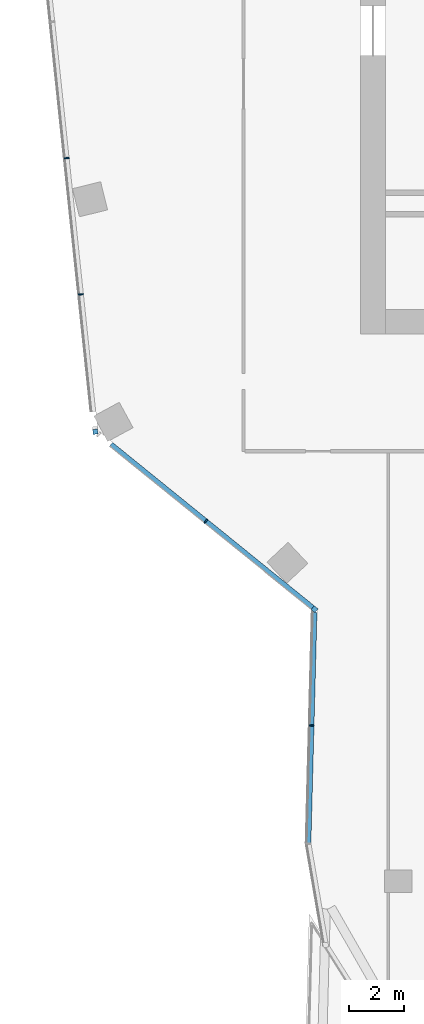
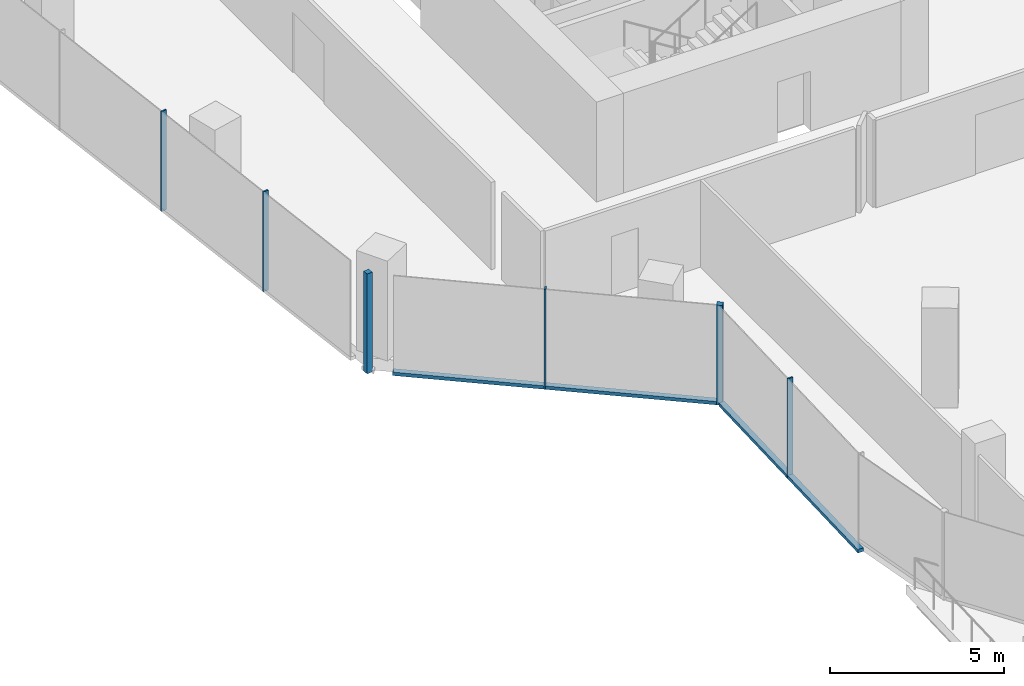
# One storey, part 4 of 25: 8 members, 3 elements without a shape of their own.
"""IFC4 building model written with IfcOpenShell, lengths in metres."""

from ifc_helpers import new_model, si_unit, direction, frame, origin, origin_2d, place, context, subcontext, project, spatial, rectangle, extrude, material, material_profile, profile_set, type_object, element, aggregate, save


model = new_model("IFC4")

# Units and contexts
model_context = context("Model", 3, precision=1e-05, world=origin(), true_north=direction((0.0, 1.0)))
body_context = subcontext(model_context, "Body", "Model", "MODEL_VIEW")
ifc_project = project(units=[si_unit("LENGTHUNIT", "METRE"), si_unit("AREAUNIT", "SQUARE_METRE"), si_unit("VOLUMEUNIT", "CUBIC_METRE"), si_unit("PLANEANGLEUNIT", "RADIAN"), si_unit("MASSUNIT", "GRAM", prefix="KILO")], contexts=[model_context])

# Site, building, storey
site_placement = place(None, origin())
site = spatial("IfcSite", under=ifc_project, at=site_placement, CompositionType="ELEMENT")
building_placement = place(site_placement, origin())
building = spatial("IfcBuilding", under=site, at=building_placement, Name="Orlundy Tower", CompositionType="ELEMENT")
storey_placement = place(building_placement, frame((0.0, 0.0, 217.5)))
storey = spatial("IfcBuildingStorey", under=building, at=storey_placement, Name="L57", CompositionType="ELEMENT", Elevation=217.5)

# Curtain wall, member
ifc_material_1 = material(Name="Aluminium bronze anodised", Category="aluminium")
curtain_wall_type = type_object("IfcCurtainWallType", Name="CW1 wall", PredefinedType="NOTDEFINED", material=ifc_material_1)
curtain_wall_1_placement = place(storey_placement, origin())
curtain_wall_1 = element("IfcCurtainWall", 1, at=curtain_wall_1_placement, inside=storey, type_object=curtain_wall_type, Name="CW1 run 01", PredefinedType="NOTDEFINED")
ifc_material_2 = material(Name="Aluminium bronze anodised", Category="aluminium")
ifc_material_profile_1 = material_profile(ifc_material_2, rectangle(XDim=0.179931640625, YDim=0.179931640625, at=origin_2d()), Name="CW1 corner post 180x180")
ifc_profile_set_1 = profile_set([ifc_material_profile_1], Name="Aluminium bronze anodised")
member_type_1 = type_object("IfcMemberType", Name="CW1 corner post 180x180", PredefinedType="MULLION", material=ifc_profile_set_1)
member_1_placement = place(storey_placement, frame((-20.672119140625, -21.97802734375, -0.419921875), z_axis=(0.0, 0.0, 1.0), x_axis=(-0.629282527892, -0.77717662091, 0.0)))
member_1 = element("IfcMember", 2, at=member_1_placement, type_object=member_type_1, Name="CW1 mullion 3", PredefinedType="MULLION", context=body_context, shape_type="SweptSolid", body=[
    extrude(rectangle(XDim=0.179931640625, YDim=0.179931640625, at=origin_2d()), origin(), (0.0, 0.0, 1.0), 3.5),
])

curtain_wall_2_placement = place(storey_placement, origin())
curtain_wall_2 = element("IfcCurtainWall", 3, at=curtain_wall_2_placement, inside=storey, type_object=curtain_wall_type, Name="CW1 run 02", PredefinedType="NOTDEFINED")
member_2_placement = place(storey_placement, frame((-28.62255859375, -15.54052734375, -0.419921875), z_axis=(0.0, 0.0, 1.0), x_axis=(-0.994520875843, -0.104538162943, 0.0)))
member_2 = element("IfcMember", 4, at=member_2_placement, type_object=member_type_1, Name="CW1 mullion 5", PredefinedType="MULLION", context=body_context, shape_type="SweptSolid", body=[
    extrude(rectangle(XDim=0.179931640625, YDim=0.179931640625, at=origin_2d()), origin(), (0.0, 0.0, 1.0), 3.5),
])

curtain_wall_3_placement = place(storey_placement, origin())
curtain_wall_3 = element("IfcCurtainWall", 5, at=curtain_wall_3_placement, inside=storey, type_object=curtain_wall_type, Name="CW1 run 00", PredefinedType="NOTDEFINED")
ifc_material_3 = material(Name="Aluminium bronze anodised", Category="aluminium")
ifc_material_profile_2 = material_profile(ifc_material_3, rectangle(XDim=0.179931640625, YDim=0.050048828125, at=origin_2d()), Name="CW1 mullion 50x180")
ifc_profile_set_2 = profile_set([ifc_material_profile_2], Name="Aluminium bronze anodised")
member_type_2 = type_object("IfcMemberType", Name="CW1 mullion 50x180", PredefinedType="MULLION", material=ifc_profile_set_2)
member_3_placement = place(storey_placement, frame((-20.782958984375, -26.19873046875, -0.419921875), z_axis=(0.0, 0.0, 1.0), x_axis=(-0.999655377656, 0.026251208042, 0.0)))
member_3 = element("IfcMember", 6, at=member_3_placement, type_object=member_type_2, Name="CW1 mullion 2", PredefinedType="MULLION", context=body_context, shape_type="SweptSolid", body=[
    extrude(rectangle(XDim=0.179931640625, YDim=0.050048828125, at=origin_2d()), origin(), (0.0, 0.0, 1.0), 3.5),
])

# Member
member_4_placement = place(storey_placement, frame((-24.61572265625, -18.784912109375, -0.419921875), z_axis=(0.0, 0.0, 1.0), x_axis=(-0.629282527892, -0.77717662091, 0.0)))
member_4 = element("IfcMember", 7, at=member_4_placement, type_object=member_type_2, Name="CW1 mullion 4", PredefinedType="MULLION", context=body_context, shape_type="SweptSolid", body=[
    extrude(rectangle(XDim=0.179931640625, YDim=0.050048828125, at=origin_2d()), origin(), (0.0, 0.0, 1.0), 3.5),
])

member_5_placement = place(storey_placement, frame((-29.14599609375, -10.560302734375, -0.419921875), z_axis=(0.0, 0.0, 1.0), x_axis=(-0.994520875843, -0.104538162943, 0.0)))
member_5 = element("IfcMember", 8, at=member_5_placement, type_object=member_type_2, Name="CW1 mullion 6", PredefinedType="MULLION", context=body_context, shape_type="SweptSolid", body=[
    extrude(rectangle(XDim=0.179931640625, YDim=0.050048828125, at=origin_2d()), origin(), (0.0, 0.0, 1.0), 3.5),
])

member_6_placement = place(storey_placement, frame((-29.665771484375, -5.616943359375, -0.419921875), z_axis=(0.0, 0.0, 1.0), x_axis=(-0.994520875843, -0.104538162943, 0.0)))
member_6 = element("IfcMember", 9, at=member_6_placement, type_object=member_type_2, Name="CW1 mullion 7", PredefinedType="MULLION", context=body_context, shape_type="SweptSolid", body=[
    extrude(rectangle(XDim=0.179931640625, YDim=0.050048828125, at=origin_2d()), origin(), (0.0, 0.0, 1.0), 3.5),
])

aggregate(curtain_wall_2, [member_2, member_5, member_6])

ifc_material_4 = material(Name="Aluminium bronze anodised", Category="aluminium")
ifc_material_profile_3 = material_profile(ifc_material_4, rectangle(XDim=0.179931640625, YDim=0.1201171875, at=origin_2d()), Name="CW1 transom 180x120")
ifc_profile_set_3 = profile_set([ifc_material_profile_3], Name="Aluminium bronze anodised")
member_type_3 = type_object("IfcMemberType", Name="CW1 transom 180x120", PredefinedType="USERDEFINED", material=ifc_profile_set_3)
member_7_placement = place(storey_placement, frame((-20.89453125, -30.447509765625, -0.360107421875), z_axis=(0.026256757924, 0.999655231899, 0.0), x_axis=(-0.999655231899, 0.026256757924, 0.0)))
member_7 = element("IfcMember", 10, at=member_7_placement, type_object=member_type_3, Name="CW1 transom", ObjectType="TRANSOM", PredefinedType="USERDEFINED", context=body_context, shape_type="SweptSolid", body=[
    extrude(rectangle(XDim=0.179931640625, YDim=0.1201171875, at=origin_2d()), origin(), (0.0, 0.0, 1.0), 8.359130859375),
])

aggregate(curtain_wall_3, [member_3, member_7])

member_8_placement = place(storey_placement, frame((-20.7421875, -21.92138671875, -0.360107421875), z_axis=(-0.777166916874, 0.629294512384, 0.0), x_axis=(-0.629294512384, -0.777166916874, 0.0)))
member_8 = element("IfcMember", 11, at=member_8_placement, type_object=member_type_3, Name="CW1 transom", ObjectType="TRANSOM", PredefinedType="USERDEFINED", context=body_context, shape_type="SweptSolid", body=[
    extrude(rectangle(XDim=0.179931640625, YDim=0.1201171875, at=origin_2d()), origin(), (0.0, 0.0, 1.0), 9.4091796875),
])

aggregate(curtain_wall_1, [member_1, member_4, member_8])

save(model, "model.ifc")
